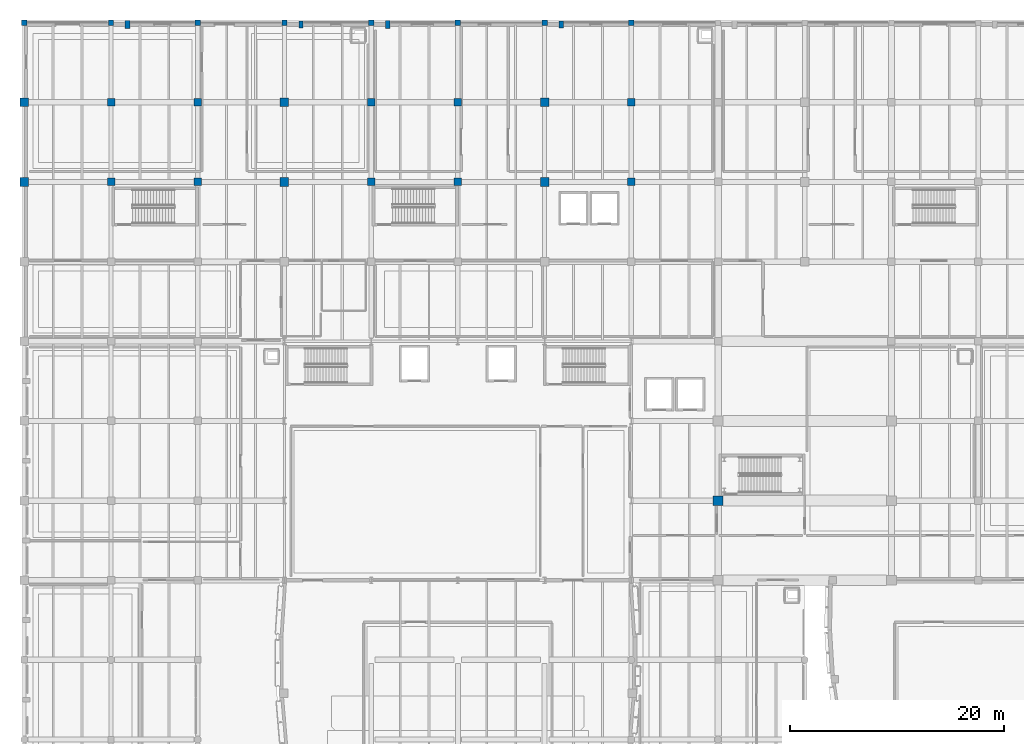
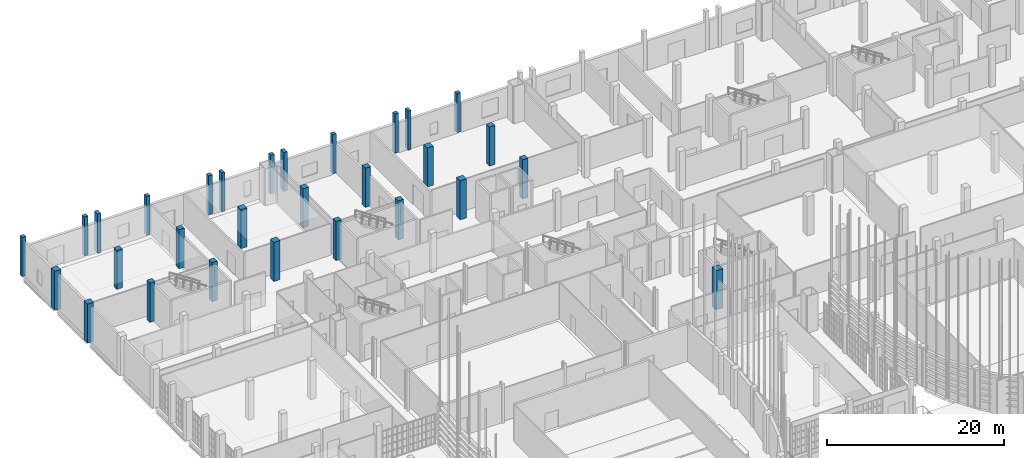
# One storey, part 9 of 372: 29 columns.
"""IFC4 building model written with IfcOpenShell, lengths in metres."""

from ifc_helpers import new_model, si_unit, direction, frame, origin, origin_2d, place, context, subcontext, project, spatial, rectangle, extrude, material, material_profile, profile_set, type_object, element, save


model = new_model("IFC4")

# Units and contexts
model_context = context("Model", 3, precision=1e-05, world=origin(), true_north=direction((0.0, 1.0)))
body_context = subcontext(model_context, "Body", "Model", "MODEL_VIEW")
ifc_project = project(units=[si_unit("LENGTHUNIT", "METRE"), si_unit("AREAUNIT", "SQUARE_METRE"), si_unit("VOLUMEUNIT", "CUBIC_METRE"), si_unit("PLANEANGLEUNIT", "RADIAN"), si_unit("MASSUNIT", "GRAM", prefix="KILO")], contexts=[model_context])

# Site, building, storey
site_placement = place(None, origin())
site = spatial("IfcSite", under=ifc_project, at=site_placement, CompositionType="ELEMENT")
building_placement = place(site_placement, origin())
building = spatial("IfcBuilding", under=site, at=building_placement, Name="Kaelora Sail Theatre", CompositionType="ELEMENT")
storey_placement = place(building_placement, origin())
storey = spatial("IfcBuildingStorey", under=building, at=storey_placement, Name="L00", CompositionType="ELEMENT", Elevation=0.0)

# Columns
ifc_material_1 = material(Name="Concrete C40/50", Category="concrete")
ifc_material_profile_1 = material_profile(ifc_material_1, rectangle(XDim=0.5, YDim=0.5, at=origin_2d()), Name="RC-COL 500x500")
ifc_profile_set_1 = profile_set([ifc_material_profile_1], Name="Concrete C40/50")
column_type_1 = type_object("IfcColumnType", Name="STR-COL-C-RC500", PredefinedType="COLUMN", material=ifc_profile_set_1)
for number, where, z_axis, x_axis, name in (
    (1, (1.5, 113.10009765625, 0.0), (0.0, 0.0, 1.0), (1.0, 0.0, 0.0), "Column 1/P (L00)"),
    (2, (9.60009765625, 113.10009765625, 0.0), (0.0, 0.0, 1.0), (1.0, 0.0, 0.0), "Column 2/P (L00)"),
    (3, (17.699951171875, 113.10009765625, 0.0), (0.0, 0.0, 1.0), (1.0, 0.0, 0.0), "Column 3/P (L00)"),
    (4, (25.800048828125, 113.10009765625, 0.0), (0.0, 0.0, 1.0), (1.0, 0.0, 0.0), "Column 4/P (L00)"),
    (5, (33.89990234375, 113.10009765625, 0.0), (0.0, 0.0, 1.0), (1.0, 0.0, 0.0), "Column 5/P (L00)"),
    (6, (42.0, 113.10009765625, 0.0), (0.0, 0.0, 1.0), (1.0, 0.0, 0.0), "Column 6/P (L00)"),
    (7, (50.10009765625, 113.10009765625, 0.0), (0.0, 0.0, 1.0), (1.0, 0.0, 0.0), "Column 7/P (L00)"),
    (8, (58.199951171875, 113.10009765625, 0.0), (0.0, 0.0, 1.0), (1.0, 0.0, 0.0), "Column 8/P (L00)"),
):
    element("IfcColumn", number, at=place(storey_placement, frame(where, z_axis=z_axis, x_axis=x_axis)), inside=storey, type_object=column_type_1, Name=name, PredefinedType="COLUMN", context=body_context, shape_type="SweptSolid", body=[
        extrude(rectangle(XDim=0.5, YDim=0.5, at=origin_2d()), origin(), (0.0, 0.0, 1.0), 5.39990234375),
    ])
ifc_material_2 = material(Name="Concrete C45/55", Category="concrete")
ifc_material_profile_2 = material_profile(ifc_material_2, rectangle(XDim=0.699951171875, YDim=0.699951171875, at=origin_2d()), Name="RC-COL 700x700")
ifc_profile_set_2 = profile_set([ifc_material_profile_2], Name="Concrete C45/55")
column_type_2 = type_object("IfcColumnType", Name="STR-COL-C-RC700", PredefinedType="COLUMN", material=ifc_profile_set_2)
for number, where, z_axis, x_axis, name in (
    (9, (9.60009765625, 98.219970703125, 0.0), (0.0, 0.0, 1.0), (1.0, 0.0, 0.0), "Column 2/N (L00)"),
    (10, (9.60009765625, 105.659912109375, 0.0), (0.0, 0.0, 1.0), (1.0, 0.0, 0.0), "Column 2/O (L00)"),
    (11, (17.699951171875, 98.219970703125, 0.0), (0.0, 0.0, 1.0), (1.0, 0.0, 0.0), "Column 3/N (L00)"),
    (12, (17.699951171875, 105.659912109375, 0.0), (0.0, 0.0, 1.0), (1.0, 0.0, 0.0), "Column 3/O (L00)"),
    (13, (33.89990234375, 98.219970703125, 0.0), (0.0, 0.0, 1.0), (1.0, 0.0, 0.0), "Column 5/N (L00)"),
    (14, (33.89990234375, 105.659912109375, 0.0), (0.0, 0.0, 1.0), (1.0, 0.0, 0.0), "Column 5/O (L00)"),
    (15, (42.0, 98.219970703125, 0.0), (0.0, 0.0, 1.0), (1.0, 0.0, 0.0), "Column 6/N (L00)"),
    (16, (42.0, 105.659912109375, 0.0), (0.0, 0.0, 1.0), (1.0, 0.0, 0.0), "Column 6/O (L00)"),
    (17, (58.199951171875, 98.219970703125, 0.0), (0.0, 0.0, 1.0), (1.0, 0.0, 0.0), "Column 8/N (L00)"),
    (18, (58.199951171875, 105.659912109375, 0.0), (0.0, 0.0, 1.0), (1.0, 0.0, 0.0), "Column 8/O (L00)"),
):
    element("IfcColumn", number, at=place(storey_placement, frame(where, z_axis=z_axis, x_axis=x_axis)), inside=storey, type_object=column_type_2, Name=name, PredefinedType="COLUMN", context=body_context, shape_type="SweptSolid", body=[
        extrude(rectangle(XDim=0.699951171875, YDim=0.699951171875, at=origin_2d()), origin(), (0.0, 0.0, 1.0), 5.39990234375),
    ])
ifc_material_3 = material(Name="Concrete C50/60", Category="concrete")
ifc_material_profile_3 = material_profile(ifc_material_3, rectangle(XDim=0.800048828125, YDim=0.800048828125, at=origin_2d()), Name="RC-COL 800x800")
ifc_profile_set_3 = profile_set([ifc_material_profile_3], Name="Concrete C50/60")
column_type_3 = type_object("IfcColumnType", Name="STR-COL-C-RC800", PredefinedType="COLUMN", material=ifc_profile_set_3)
for number, where, z_axis, x_axis, name in (
    (19, (1.5, 98.219970703125, 0.0), (0.0, 0.0, 1.0), (1.0, 0.0, 0.0), "Column 1/N (L00)"),
    (20, (1.5, 105.659912109375, 0.0), (0.0, 0.0, 1.0), (1.0, 0.0, 0.0), "Column 1/O (L00)"),
    (21, (25.800048828125, 98.219970703125, 0.0), (0.0, 0.0, 1.0), (1.0, 0.0, 0.0), "Column 4/N (L00)"),
    (22, (25.800048828125, 105.659912109375, 0.0), (0.0, 0.0, 1.0), (1.0, 0.0, 0.0), "Column 4/O (L00)"),
    (23, (50.10009765625, 98.219970703125, 0.0), (0.0, 0.0, 1.0), (1.0, 0.0, 0.0), "Column 7/N (L00)"),
    (24, (50.10009765625, 105.659912109375, 0.0), (0.0, 0.0, 1.0), (1.0, 0.0, 0.0), "Column 7/O (L00)"),
):
    element("IfcColumn", number, at=place(storey_placement, frame(where, z_axis=z_axis, x_axis=x_axis)), inside=storey, type_object=column_type_3, Name=name, PredefinedType="COLUMN", context=body_context, shape_type="SweptSolid", body=[
        extrude(rectangle(XDim=0.800048828125, YDim=0.800048828125, at=origin_2d()), origin(), (0.0, 0.0, 1.0), 5.39990234375),
    ])
ifc_material_4 = material(Name="Concrete C50/60", Category="concrete")
ifc_material_profile_4 = material_profile(ifc_material_4, rectangle(XDim=0.89990234375, YDim=0.89990234375, at=origin_2d()), Name="RC-COL 900x900")
ifc_profile_set_4 = profile_set([ifc_material_profile_4], Name="Concrete C50/60")
column_type_4 = type_object("IfcColumnType", Name="STR-COL-C-RC900", PredefinedType="COLUMN", material=ifc_profile_set_4)
column_placement = place(storey_placement, frame((66.300048828125, 68.4599609375, 0.0), z_axis=(0.0, 0.0, 1.0), x_axis=(1.0, 0.0, 0.0)))
element("IfcColumn", 25, at=column_placement, inside=storey, type_object=column_type_4, Name="Column 9/J (L00)", PredefinedType="COLUMN", context=body_context, shape_type="SweptSolid", body=[
    extrude(rectangle(XDim=0.89990234375, YDim=0.89990234375, at=origin_2d()), origin(), (0.0, 0.0, 1.0), 5.39990234375),
])
ifc_material_5 = material(Name="Precast concrete C45/55", Category="concrete")
ifc_material_profile_5 = material_profile(ifc_material_5, rectangle(XDim=0.39990234375, YDim=0.64990234375, at=origin_2d()), Name="RC-PIL 400x650")
ifc_profile_set_5 = profile_set([ifc_material_profile_5], Name="Precast concrete C45/55")
column_type_5 = type_object("IfcColumnType", Name="STR-COL-PL-RC4065", PredefinedType="PILASTER", material=ifc_profile_set_5)
for number, where, z_axis, x_axis, name in (
    (26, (27.35009765625, 112.949951171875, 0.0), (0.0, 0.0, 1.0), (1.0, 0.0, 0.0), "Postmodern terracotta precast pilaster L00 N02"),
    (27, (51.64990234375, 112.949951171875, 0.0), (0.0, 0.0, 1.0), (1.0, 0.0, 0.0), "Postmodern terracotta precast pilaster L00 N04"),
):
    element("IfcColumn", number, at=place(storey_placement, frame(where, z_axis=z_axis, x_axis=x_axis)), inside=storey, type_object=column_type_5, Name=name, PredefinedType="PILASTER", context=body_context, shape_type="SweptSolid", body=[
        extrude(rectangle(XDim=0.39990234375, YDim=0.64990234375, at=origin_2d()), origin(), (0.0, 0.0, 1.0), 5.39990234375),
    ])
ifc_material_6 = material(Name="Precast concrete C45/55", Category="concrete")
ifc_material_profile_6 = material_profile(ifc_material_6, rectangle(XDim=0.449951171875, YDim=0.75, at=origin_2d()), Name="RC-PIL 450x750")
ifc_profile_set_6 = profile_set([ifc_material_profile_6], Name="Precast concrete C45/55")
column_type_6 = type_object("IfcColumnType", Name="STR-COL-PL-RC4575", PredefinedType="PILASTER", material=ifc_profile_set_6)
for number, where, z_axis, x_axis, name in (
    (28, (11.14990234375, 112.949951171875, 0.0), (0.0, 0.0, 1.0), (1.0, 0.0, 0.0), "Postmodern terracotta precast pilaster L00 N01"),
    (29, (35.449951171875, 112.949951171875, 0.0), (0.0, 0.0, 1.0), (1.0, 0.0, 0.0), "Postmodern terracotta precast pilaster L00 N03"),
):
    element("IfcColumn", number, at=place(storey_placement, frame(where, z_axis=z_axis, x_axis=x_axis)), inside=storey, type_object=column_type_6, Name=name, PredefinedType="PILASTER", context=body_context, shape_type="SweptSolid", body=[
        extrude(rectangle(XDim=0.449951171875, YDim=0.75, at=origin_2d()), origin(), (0.0, 0.0, 1.0), 5.39990234375),
    ])

save(model, "model.ifc")
